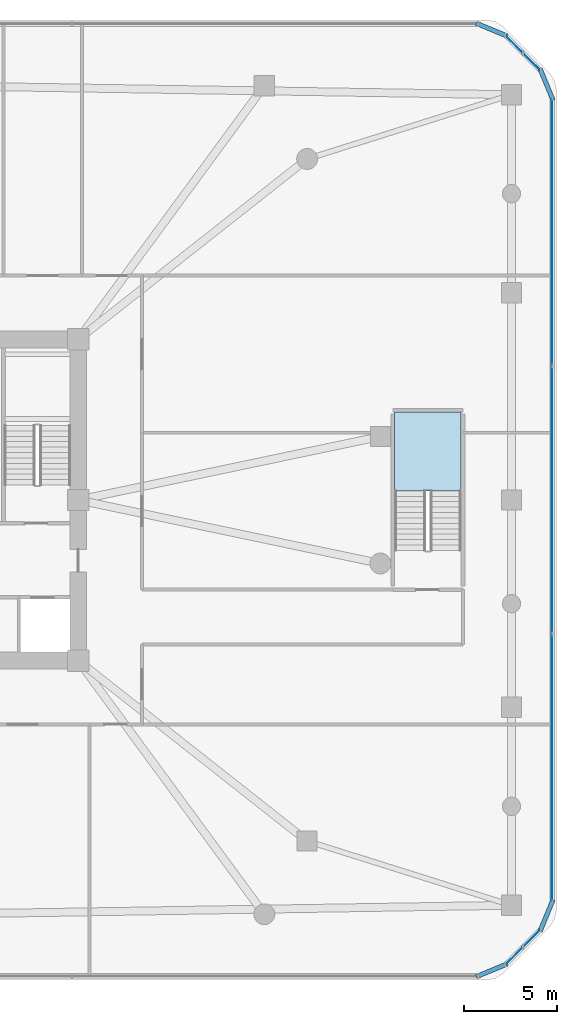
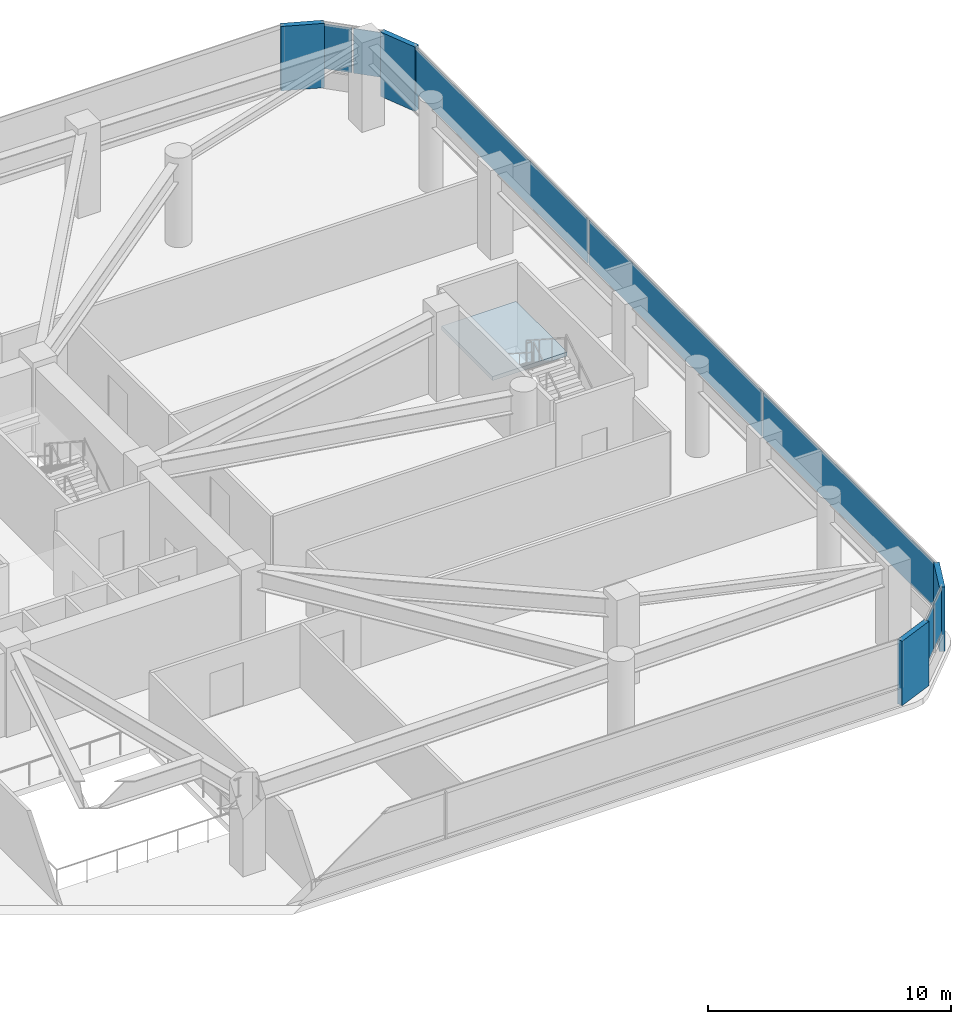
# One storey, part 15 of 21: 11 plates, 1 slab, 4 elements without a shape of their own.
"""IFC4 building model written with IfcOpenShell, lengths in metres."""

from ifc_helpers import new_model, si_unit, derived_unit, direction, frame, origin, origin_2d, place, context, subcontext, project, spatial, polyline, rectangle, outline, extrude, material, layer, layer_set, type_object, element, aggregate, save


model = new_model("IFC4")

# Units and contexts
model_context = context("Model", 3, precision=1e-05, world=origin(), true_north=direction((0.0, 1.0)))
body_context = subcontext(model_context, "Body", "Model", "MODEL_VIEW")
ifc_project = project(units=[si_unit("LENGTHUNIT", "METRE"), si_unit("AREAUNIT", "SQUARE_METRE"), si_unit("VOLUMEUNIT", "CUBIC_METRE"), si_unit("PLANEANGLEUNIT", "RADIAN"), si_unit("MASSUNIT", "GRAM", prefix="KILO"), derived_unit("THERMALTRANSMITTANCEUNIT", [(si_unit("POWERUNIT", "WATT"), 1), (si_unit("LENGTHUNIT", "METRE"), -2), (si_unit("THERMODYNAMICTEMPERATUREUNIT", "KELVIN"), -1)])], contexts=[model_context])

# Site, building, storey
site_placement = place(None, origin())
site = spatial("IfcSite", under=ifc_project, at=site_placement, CompositionType="ELEMENT")
building_placement = place(site_placement, origin())
building = spatial("IfcBuilding", under=site, at=building_placement, Name="Koralith Skygarden Medical Center", CompositionType="ELEMENT")
storey_placement = place(building_placement, frame((0.0, 0.0, 5.39990234375)))
storey = spatial("IfcBuildingStorey", under=building, at=storey_placement, Name="L01", CompositionType="ELEMENT", Elevation=5.39990234375)

# Curtain wall, plates
ifc_material_1 = material(Name="Clear Laminated Glass", Category="glass")
curtain_wall_type = type_object("IfcCurtainWallType", Name="CW-1 Transit & Podium Acoustic Curtain Wall", PredefinedType="NOTDEFINED", material=ifc_material_1)
curtain_wall_1_placement = place(storey_placement, origin())
curtain_wall_1 = element("IfcCurtainWall", 1, at=curtain_wall_1_placement, inside=storey, type_object=curtain_wall_type, Name="Curtain Wall CW-L01-SE", PredefinedType="NOTDEFINED")
ifc_layer_1 = layer(ifc_material_1, 0.030029296875)
ifc_layer_set_1 = layer_set([ifc_layer_1], Name="Clear Laminated Glass")
plate_type_1 = type_object("IfcPlateType", Name="CW-1 Hurricane Laminated IGU Panel 30", PredefinedType="CURTAIN_PANEL", material=ifc_layer_set_1)
plate_1_placement = place(storey_placement, frame((71.549072265625, 1.498046875, 0.920166015625), z_axis=(0.0, 0.0, 1.0), x_axis=(0.707106781187, 0.707106781187, 0.0)))
plate_1 = element("IfcPlate", 2, at=plate_1_placement, type_object=plate_type_1, Name="CW-L01-SE Glazed Panel 1", PredefinedType="CURTAIN_PANEL", context=body_context, shape_type="SweptSolid", body=[
    extrude(rectangle(XDim=1.258056640625, YDim=0.030029296875, at=origin_2d()), origin(), (0.0, 0.0, 1.0), 2.25),
])
plate_2_placement = place(storey_placement, frame((72.501953125, 2.450927734375, 0.920166015625), z_axis=(0.0, 0.0, 1.0), x_axis=(0.707106781187, 0.707106781187, 0.0)))
plate_2 = element("IfcPlate", 3, at=plate_2_placement, type_object=plate_type_1, Name="CW-L01-SE Glazed Panel 2", PredefinedType="CURTAIN_PANEL", context=body_context, shape_type="SweptSolid", body=[
    extrude(rectangle(XDim=1.258056640625, YDim=0.030029296875, at=origin_2d()), origin(), (0.0, 0.0, 1.0), 2.25),
])
aggregate(curtain_wall_1, [plate_1, plate_2])

curtain_wall_2_placement = place(storey_placement, origin())
curtain_wall_2 = element("IfcCurtainWall", 4, at=curtain_wall_2_placement, inside=storey, type_object=curtain_wall_type, Name="Curtain Wall CW-L01-E", PredefinedType="NOTDEFINED")
plate_3_placement = place(storey_placement, frame((73.580078125, 11.552978515625, 0.920166015625), z_axis=(0.0, 0.0, 1.0), x_axis=(0.0, 1.0, 0.0)))
plate_3 = element("IfcPlate", 5, at=plate_3_placement, type_object=plate_type_1, Name="CW-L01-E Glazed Panel 1", PredefinedType="CURTAIN_PANEL", context=body_context, shape_type="SweptSolid", body=[
    extrude(rectangle(XDim=14.257080078125, YDim=0.030029296875, at=origin_2d()), origin(), (0.0, 0.0, 1.0), 2.25),
])
plate_4_placement = place(storey_placement, frame((73.580078125, 25.89990234375, 0.920166015625), z_axis=(0.0, 0.0, 1.0), x_axis=(0.0, 1.0, 0.0)))
plate_4 = element("IfcPlate", 6, at=plate_4_placement, type_object=plate_type_1, Name="CW-L01-E Glazed Panel 2", PredefinedType="CURTAIN_PANEL", context=body_context, shape_type="SweptSolid", body=[
    extrude(rectangle(XDim=14.257080078125, YDim=0.030029296875, at=origin_2d()), origin(), (0.0, 0.0, 1.0), 2.25),
])
plate_5_placement = place(storey_placement, frame((73.580078125, 40.2470703125, 0.920166015625), z_axis=(0.0, 0.0, 1.0), x_axis=(0.0, 1.0, 0.0)))
plate_5 = element("IfcPlate", 7, at=plate_5_placement, type_object=plate_type_1, Name="CW-L01-E Glazed Panel 3", PredefinedType="CURTAIN_PANEL", context=body_context, shape_type="SweptSolid", body=[
    extrude(rectangle(XDim=14.257080078125, YDim=0.030029296875, at=origin_2d()), origin(), (0.0, 0.0, 1.0), 2.25),
])
aggregate(curtain_wall_2, [plate_3, plate_4, plate_5])

curtain_wall_3_placement = place(storey_placement, origin())
curtain_wall_3 = element("IfcCurtainWall", 8, at=curtain_wall_3_placement, inside=storey, type_object=curtain_wall_type, Name="Curtain Wall CW-L01-NE", PredefinedType="NOTDEFINED")
plate_6_placement = place(storey_placement, frame((72.501953125, 49.34912109375, 0.920166015625), z_axis=(0.0, 0.0, 1.0), x_axis=(-0.707106781187, 0.707106781187, 0.0)))
plate_6 = element("IfcPlate", 9, at=plate_6_placement, type_object=plate_type_1, Name="CW-L01-NE Glazed Panel 1", PredefinedType="CURTAIN_PANEL", context=body_context, shape_type="SweptSolid", body=[
    extrude(rectangle(XDim=1.258056640625, YDim=0.030029296875, at=origin_2d()), origin(), (0.0, 0.0, 1.0), 2.25),
])
plate_7_placement = place(storey_placement, frame((71.549072265625, 50.302001953125, 0.920166015625), z_axis=(0.0, 0.0, 1.0), x_axis=(-0.707106781187, 0.707106781187, 0.0)))
plate_7 = element("IfcPlate", 10, at=plate_7_placement, type_object=plate_type_1, Name="CW-L01-NE Glazed Panel 2", PredefinedType="CURTAIN_PANEL", context=body_context, shape_type="SweptSolid", body=[
    extrude(rectangle(XDim=1.258056640625, YDim=0.030029296875, at=origin_2d()), origin(), (0.0, 0.0, 1.0), 2.25),
])
aggregate(curtain_wall_3, [plate_6, plate_7])

# Stair, slab
ifc_material_2 = material(Name="Concrete C45/55", Category="concrete")
stair_type = type_object("IfcStairType", Name="Core Exit Dogleg Concrete Stair", PredefinedType="HALF_TURN_STAIR", material=ifc_material_2)
stair_placement = place(storey_placement, origin())
stair = element("IfcStair", 11, at=stair_placement, inside=storey, type_object=stair_type, Name="L01 Podium Smokeproof Exit Stair ST5", PredefinedType="HALF_TURN_STAIR")
ifc_layer_2 = layer(ifc_material_2, 0.199951171875)
ifc_layer_set_2 = layer_set([ifc_layer_2], Name="Concrete C45/55")
slab_type = type_object("IfcSlabType", Name="Core Exit Concrete Stair Landing 200", PredefinedType="LANDING", material=ifc_layer_set_2)
slab_placement = place(storey_placement, frame((0.0, 0.0, 2.050048828125)))
slab = element("IfcSlab", 12, at=slab_placement, type_object=slab_type, Name="ST5 landing 1", PredefinedType="LANDING", context=body_context, shape_type="SweptSolid", body=[
    extrude(outline(polyline([(68.699951171875, 26.389892578125), (68.699951171875, 30.60009765625), (65.14990234375, 30.60009765625), (65.14990234375, 26.389892578125), (68.699951171875, 26.389892578125)])), origin(), (0.0, 0.0, 1.0), 0.199951171875),
])
aggregate(stair, [slab])

# Plates
ifc_material_3 = material(Name="Warm Oolitic Limestone Cladding", Category="masonry")
ifc_layer_3 = layer(ifc_material_3, 0.239990234375)
ifc_layer_set_3 = layer_set([ifc_layer_3], Name="Warm Oolitic Limestone Cladding")
plate_type_2 = type_object("IfcPlateType", Name="Rounded-Corner Oolitic Limestone Cladding Panel 240", PredefinedType="USERDEFINED", material=ifc_layer_set_3)
for number, where, z_axis, x_axis, name in (
    (13, (70.345947265625, 0.719970703125, 0.0), (0.0, 0.0, 1.0), (0.92388487569, 0.382670532536, 0.0), "L01 Rounded-Corner Limestone Pier 1"),
    (14, (73.279052734375, 3.653076171875, 0.0), (0.0, 0.0, 1.0), (0.382670532536, 0.92388487569, 0.0), "L01 Rounded-Corner Limestone Pier 2"),
    (15, (73.279052734375, 48.14697265625, 0.0), (0.0, 0.0, 1.0), (-0.382670532536, 0.92388487569, 0.0), "L01 Rounded-Corner Limestone Pier 3"),
    (16, (70.345947265625, 51.080078125, 0.0), (0.0, 0.0, 1.0), (-0.92388487569, 0.382670532536, 0.0), "L01 Rounded-Corner Limestone Pier 4"),
):
    element("IfcPlate", number, at=place(storey_placement, frame(where, z_axis=z_axis, x_axis=x_axis)), inside=storey, type_object=plate_type_2, Name=name, ObjectType="LIMESTONE CLADDING", PredefinedType="USERDEFINED", context=body_context, shape_type="SweptSolid", body=[
        extrude(rectangle(XDim=1.81103515625, YDim=0.239990234375, at=origin_2d()), origin(), (0.0, 0.0, 1.0), 3.239990234375),
    ])

save(model, "model.ifc")
